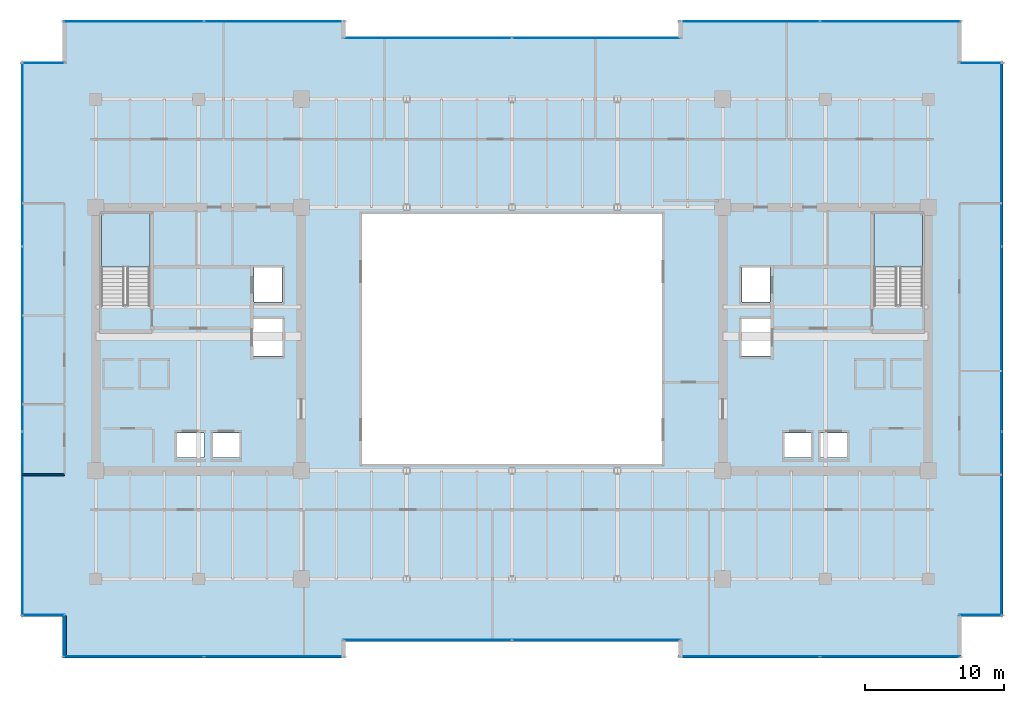
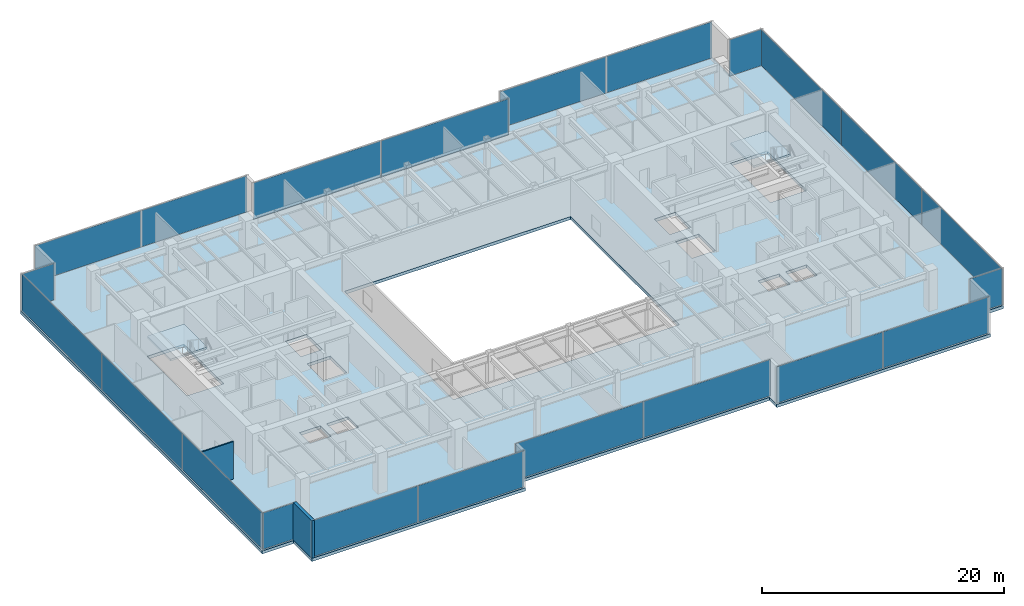
# One storey, part 24 of 31: 22 plates, 3 slabs, 2 walls, 14 elements without a shape of their own.
"""IFC4 building model written with IfcOpenShell, lengths in metres."""

import ifcopenshell
import ifcopenshell.guid

model = None  # the IFC model being written
_history = None  # IfcOwnerHistory: only IFC2X3 demands one
_inside = {}  # id of a spatial element -> (the spatial element, [elements in it])
_under = {}  # id of a project, library or spatial element -> (it, [spatial elements below it])
_declared = {}  # id of a project -> (the project, [libraries it declares])
_typed = {}  # id of a type object -> (the type object, [elements of that type])
_made_of = {}  # id of a material, layer set ... -> (it, [elements and type objects made of it])


def new_model(schema):
    """Start an empty IFC model of exactly this schema.

    Asked for "IFC4X3", IfcOpenShell would pick the latest addendum, in which some entities
    have other attributes; the version numbers below select the first issue.
    IFC2X3 requires an IfcOwnerHistory on every rooted entity: one is made here for all.
    """
    global model, _history
    if schema == "IFC4X3":
        model = ifcopenshell.file(schema_version=(4, 3, 0, 0))
    else:
        model = ifcopenshell.file(schema=schema)
    _inside.clear()
    _under.clear()
    _declared.clear()
    _typed.clear()
    _made_of.clear()
    _history = None
    if model.schema == "IFC2X3":
        org = make("IfcOrganization", Name="unknown")
        user = make(
            "IfcPersonAndOrganization",
            ThePerson=make("IfcPerson", FamilyName="unknown"),
            TheOrganization=org,
        )
        app = make(
            "IfcApplication",
            ApplicationDeveloper=org,
            Version="unknown",
            ApplicationFullName="unknown",
            ApplicationIdentifier="unknown",
        )
        _history = make(
            "IfcOwnerHistory",
            OwningUser=user,
            OwningApplication=app,
            ChangeAction="ADDED",
            CreationDate=0,
        )
    return model


def make(cls, **values):
    """One entity of the class cls with the attributes given. An attribute that is None is left unset."""
    return model.create_entity(
        cls, **{name: value for name, value in values.items() if value is not None}
    )


def rooted(cls, **values):
    """An entity with a GlobalId (a new one), such as an element, a storey or a relation."""
    return make(cls, GlobalId=ifcopenshell.guid.new(), OwnerHistory=_history, **values)


def si_unit(unit_type, name, prefix=None):
    """IfcSIUnit, for example si_unit("LENGTHUNIT", "METRE", prefix="MILLI")."""
    return make("IfcSIUnit", UnitType=unit_type, Prefix=prefix, Name=name)


def assignment(units):
    """IfcUnitAssignment: the units of a project."""
    return None if units is None else make("IfcUnitAssignment", Units=units)


def point(xyz):
    """IfcCartesianPoint."""
    return None if xyz is None else make("IfcCartesianPoint", Coordinates=xyz)


def direction(xyz):
    """IfcDirection."""
    return None if xyz is None else make("IfcDirection", DirectionRatios=xyz)


def frame(location, z_axis=None, x_axis=None):
    """IfcAxis2Placement3D, a coordinate frame: its origin and axes. An axis left out is left unset."""
    return make(
        "IfcAxis2Placement3D",
        Location=point(location),
        Axis=direction(z_axis),
        RefDirection=direction(x_axis),
    )


def frame_2d(location, x_axis=None):
    """IfcAxis2Placement2D, a coordinate frame in the plane: its origin and x axis."""
    return make(
        "IfcAxis2Placement2D", Location=point(location), RefDirection=direction(x_axis)
    )


def origin():
    """The frame at (0, 0, 0) with its axes left unset."""
    return frame((0.0, 0.0, 0.0))


def origin_2d():
    """The frame at (0, 0) in the plane with its x axis left unset."""
    return frame_2d((0.0, 0.0))


def place(relative_to, where):
    """IfcLocalPlacement: puts the frame where relative to a parent placement (None: the world)."""
    return make(
        "IfcLocalPlacement", PlacementRelTo=relative_to, RelativePlacement=where
    )


def context(
    kind, dimensions, precision=None, world=None, true_north=None, identifier=None
):
    """IfcGeometricRepresentationContext, for example the 3D "Model" context."""
    return make(
        "IfcGeometricRepresentationContext",
        ContextIdentifier=identifier,
        ContextType=kind,
        CoordinateSpaceDimension=dimensions,
        Precision=precision,
        WorldCoordinateSystem=world,
        TrueNorth=true_north,
    )


def subcontext(parent, identifier, kind, view, scale=None):
    """IfcGeometricRepresentationSubContext, for example "Body" below "Model"."""
    return make(
        "IfcGeometricRepresentationSubContext",
        ContextIdentifier=identifier,
        ContextType=kind,
        ParentContext=parent,
        TargetScale=scale,
        TargetView=view,
    )


def project(units=None, contexts=None):
    """IfcProject with its units and contexts."""
    return rooted(
        "IfcProject",
        Name="project",
        RepresentationContexts=contexts,
        UnitsInContext=assignment(units),
    )


def spatial(cls, under=None, at=None, **own):
    """A site, building, storey or space (cls), placed at a placement, below another one or the project."""
    s = rooted(cls, ObjectPlacement=at, **own)
    if under is not None:
        _under.setdefault(under.id(), (under, []))[1].append(s)
    return s


def polyline(points):
    """IfcPolyline through the points."""
    return make("IfcPolyline", Points=[point(p) for p in points])


def profile(cls, at=None, kind="AREA", **sizes):
    """A parametric profile (cls). Its sizes go by their IFC names, for example OverallWidth=200.0."""
    return make(cls, ProfileType=kind, Position=at, **sizes)


def rectangle(**sizes):
    """IfcRectangleProfileDef."""
    return profile("IfcRectangleProfileDef", **sizes)


def outline(outer, holes=None, kind="AREA"):
    """IfcArbitraryClosedProfileDef: a profile drawn as a closed curve; with holes, ...WithVoids."""
    if holes is None:
        return make("IfcArbitraryClosedProfileDef", ProfileType=kind, OuterCurve=outer)
    return make(
        "IfcArbitraryProfileDefWithVoids",
        ProfileType=kind,
        OuterCurve=outer,
        InnerCurves=holes,
    )


def extrude(swept, where, along, depth):
    """IfcExtrudedAreaSolid: the profile swept, set in the frame where, extruded along a direction by depth."""
    return make(
        "IfcExtrudedAreaSolid",
        SweptArea=swept,
        Position=where,
        ExtrudedDirection=direction(along),
        Depth=depth,
    )


def shape(context_of_items, identifier, shape_type, items):
    """IfcShapeRepresentation: the items that make up one representation, for example the "Body"."""
    return make(
        "IfcShapeRepresentation",
        ContextOfItems=context_of_items,
        RepresentationIdentifier=identifier,
        RepresentationType=shape_type,
        Items=items,
    )


def source(mapping_origin, context_of_items, identifier, shape_type, items):
    """IfcRepresentationMap: a shape defined once, which mapped items show again and again."""
    return make(
        "IfcRepresentationMap",
        MappingOrigin=mapping_origin,
        MappedRepresentation=shape(context_of_items, identifier, shape_type, items),
    )


def transform(
    local_origin,
    x_axis=None,
    y_axis=None,
    z_axis=None,
    scale=None,
    scale2=None,
    scale3=None,
    uniform=True,
):
    """IfcCartesianTransformationOperator3D, or its non-uniform kind. x_axis, y_axis, z_axis: its Axis1, 2, 3."""
    if uniform:
        return make(
            "IfcCartesianTransformationOperator3D",
            Axis1=direction(x_axis),
            Axis2=direction(y_axis),
            LocalOrigin=point(local_origin),
            Scale=scale,
            Axis3=direction(z_axis),
        )
    return make(
        "IfcCartesianTransformationOperator3DnonUniform",
        Axis1=direction(x_axis),
        Axis2=direction(y_axis),
        LocalOrigin=point(local_origin),
        Scale=scale,
        Axis3=direction(z_axis),
        Scale2=scale2,
        Scale3=scale3,
    )


def mapped(mapping_source, mapping_target):
    """IfcMappedItem: shows the shape of a source again, moved by a transform."""
    return make(
        "IfcMappedItem", MappingSource=mapping_source, MappingTarget=mapping_target
    )


def material(Name=None, Category=None):
    """IfcMaterial."""
    return make("IfcMaterial", Name=Name, Category=Category)


def layer(
    of_material, thickness, ventilated=None, Name=None, Category=None, Priority=None
):
    """IfcMaterialLayer: one layer of a wall or slab, of a material (None: an air gap)."""
    return make(
        "IfcMaterialLayer",
        Material=of_material,
        LayerThickness=thickness,
        IsVentilated=ventilated,
        Name=Name,
        Category=Category,
        Priority=Priority,
    )


def layer_set(layers, Name=None):
    """IfcMaterialLayerSet."""
    return make("IfcMaterialLayerSet", MaterialLayers=layers, LayerSetName=Name)


def made_of(thing, what):
    """Note that an element or type object is made of a material, layer set ...; save() writes the relation."""
    if what is not None:
        _made_of.setdefault(what.id(), (what, []))[1].append(thing)
    return thing


def type_object(cls, material=None, **own):
    """A type object (cls), such as IfcWallType, which elements share."""
    return made_of(rooted(cls, **own), material)


def type_shapes(of_type, sources):
    """Give a type object the sources (RepresentationMaps) that its elements show as mapped items."""
    of_type.RepresentationMaps = sources


def element(
    cls,
    number,
    at=None,
    inside=None,
    cuts=None,
    type_object=None,
    material=None,
    context=None,
    identifier="Body",
    shape_type=None,
    held_by="IfcProductDefinitionShape",
    body=None,
    shapes=None,
    **own,
):
    """One element of the class cls, such as IfcWall. Its Tag is "e" and its number.

    at: its placement. inside: the storey or other place that contains it. cuts: it is an
    opening in that element (IfcRelVoidsElement). A single representation is given by context,
    identifier, shape_type and body (its items); several are given by shapes. held_by: the class
    of the entity that holds the representations. save() writes the other relations.
    """
    e = rooted(cls, Tag="e%d" % number, ObjectPlacement=at, **own)
    if body is not None:
        shapes = [shape(context, identifier, shape_type, body)]
    if shapes is not None:
        e.Representation = make(held_by, Representations=shapes)
    if inside is not None:
        _inside.setdefault(inside.id(), (inside, []))[1].append(e)
    if cuts is not None:
        rooted(
            "IfcRelVoidsElement", RelatingBuildingElement=cuts, RelatedOpeningElement=e
        )
    if type_object is not None:
        _typed.setdefault(type_object.id(), (type_object, []))[1].append(e)
    return made_of(e, material)


def aggregate(whole, parts):
    """IfcRelAggregates: a whole, such as a stair, and the parts it consists of."""
    return rooted("IfcRelAggregates", RelatingObject=whole, RelatedObjects=parts)


def save(model, path):
    """Write the relations noted so far, then the file.

    IfcRelAggregates (storeys below a building ...), IfcRelContainedInSpatialStructure (elements
    in a storey), IfcRelDefinesByType, IfcRelAssociatesMaterial and IfcRelDeclares: one each for
    every whole, place, type object, material and project.
    """
    for whole, parts in _under.values():
        aggregate(whole, parts)
    for where, things in _inside.values():
        rooted(
            "IfcRelContainedInSpatialStructure",
            RelatedElements=things,
            RelatingStructure=where,
        )
    for kind, things in _typed.values():
        rooted("IfcRelDefinesByType", RelatedObjects=things, RelatingType=kind)
    for what, things in _made_of.values():
        rooted("IfcRelAssociatesMaterial", RelatedObjects=things, RelatingMaterial=what)
    for by, libraries in _declared.values():
        rooted("IfcRelDeclares", RelatingContext=by, RelatedDefinitions=libraries)
    model.write(path)


model = new_model("IFC4")

# Units and contexts
model_context = context("Model", 3, precision=1e-05, world=origin(), true_north=direction((0.0, 1.0)))
body_context = subcontext(model_context, "Body", "Model", "MODEL_VIEW")
ifc_project = project(units=[si_unit("LENGTHUNIT", "METRE"), si_unit("AREAUNIT", "SQUARE_METRE"), si_unit("VOLUMEUNIT", "CUBIC_METRE"), si_unit("PLANEANGLEUNIT", "RADIAN"), si_unit("MASSUNIT", "GRAM", prefix="KILO")], contexts=[model_context])

# Site, building, storey
site_placement = place(None, origin())
site = spatial("IfcSite", under=ifc_project, at=site_placement, CompositionType="ELEMENT")
building_placement = place(site_placement, origin())
building = spatial("IfcBuilding", under=site, at=building_placement, Name="Haelvirn Gate Laboratories", CompositionType="ELEMENT")
storey_placement = place(building_placement, frame((0.0, 0.0, 174.800048828125)))
storey = spatial("IfcBuildingStorey", under=building, at=storey_placement, Name="L42", CompositionType="ELEMENT", Elevation=174.800048828125)

# Stair, slab
ifc_material_1 = material(Name="Concrete C40/50", Category="concrete")
stair_type = type_object("IfcStairType", Name="ST-DOG-1650-R22", PredefinedType="HALF_TURN_STAIR", material=ifc_material_1)
stair_1_placement = place(storey_placement, origin())
stair_1 = element("IfcStair", 1, at=stair_1_placement, inside=storey, type_object=stair_type, Name="L42 Escape Stair ST1", PredefinedType="HALF_TURN_STAIR")
ifc_layer_1 = layer(ifc_material_1, 0.199951171875, Name="SL-STAIR-LND")
ifc_layer_set_1 = layer_set([ifc_layer_1], Name="Concrete C40/50")
slab_type_1 = type_object("IfcSlabType", Name="SL-STAIR-LND", PredefinedType="LANDING", material=ifc_layer_set_1)
slab_1_placement = place(storey_placement, frame((0.0, 0.0, 1.849853515625)))
slab_1 = element("IfcSlab", 2, at=slab_1_placement, type_object=slab_type_1, Name="ST1 landing 1", PredefinedType="LANDING", context=body_context, shape_type="SweptSolid", body=[
    extrude(outline(polyline([(11.300048828125, 29.5), (11.300048828125, 33.35009765625), (7.800048828125, 33.35009765625), (7.800048828125, 29.5), (11.300048828125, 29.5)])), origin(), (0.0, 0.0, 1.0), 0.2001953125),
])
aggregate(stair_1, [slab_1])

stair_2_placement = place(storey_placement, origin())
stair_2 = element("IfcStair", 3, at=stair_2_placement, inside=storey, type_object=stair_type, Name="L42 Escape Stair ST2", PredefinedType="HALF_TURN_STAIR")
slab_2_placement = place(storey_placement, frame((0.0, 0.0, 1.849853515625)))
slab_2 = element("IfcSlab", 4, at=slab_2_placement, type_object=slab_type_1, Name="ST2 landing 1", PredefinedType="LANDING", context=body_context, shape_type="SweptSolid", body=[
    extrude(outline(polyline([(67.0, 29.5), (67.0, 33.35009765625), (63.5, 33.35009765625), (63.5, 29.5), (67.0, 29.5)])), origin(), (0.0, 0.0, 1.0), 0.2001953125),
])
aggregate(stair_2, [slab_2])

# Slab
ifc_layer_2 = layer(ifc_material_1, 0.31005859375, Name="SL-Z2-310")
ifc_layer_set_2 = layer_set([ifc_layer_2], Name="Concrete C40/50")
slab_type_2 = type_object("IfcSlabType", Name="SL-Z2-310", PredefinedType="FLOOR", material=ifc_layer_set_2)
slab_3_placement = place(storey_placement, frame((0.0, 0.0, -0.31005859375)))
element("IfcSlab", 5, at=slab_3_placement, inside=storey, type_object=slab_type_2, Name="L42 Structural Slab MAIN", PredefinedType="FLOOR", context=body_context, shape_type="SweptSolid", body=[
    extrude(outline(polyline([(5.0, 1.300048828125), (25.39990234375, 1.300048828125), (25.39990234375, 2.5), (49.39990234375, 2.5), (49.39990234375, 1.300048828125), (69.800048828125, 1.300048828125), (69.800048828125, 4.300048828125), (72.800048828125, 4.300048828125), (72.800048828125, 44.300048828125), (69.800048828125, 44.300048828125), (69.800048828125, 47.300048828125), (49.39990234375, 47.300048828125), (49.39990234375, 46.10009765625), (25.39990234375, 46.10009765625), (25.39990234375, 47.300048828125), (5.0, 47.300048828125), (5.0, 44.300048828125), (2.0, 44.300048828125), (2.0, 4.300048828125), (5.0, 4.300048828125), (5.0, 1.300048828125)]), holes=[polyline([(26.60009765625, 15.300048828125), (48.199951171875, 15.300048828125), (48.199951171875, 33.300048828125), (26.60009765625, 33.300048828125), (26.60009765625, 15.300048828125)]), polyline([(11.300048828125, 26.780029296875), (11.300048828125, 33.35009765625), (7.800048828125, 33.35009765625), (7.800048828125, 26.780029296875), (11.300048828125, 26.780029296875)]), polyline([(67.0, 26.780029296875), (67.0, 33.35009765625), (63.5, 33.35009765625), (63.5, 26.780029296875), (67.0, 26.780029296875)]), polyline([(13.18994140625, 15.77001953125), (15.2099609375, 15.77001953125), (15.2099609375, 17.510009765625), (13.18994140625, 17.510009765625), (13.18994140625, 15.77001953125)]), polyline([(15.7900390625, 15.77001953125), (17.81005859375, 15.77001953125), (17.81005859375, 17.510009765625), (15.7900390625, 17.510009765625), (15.7900390625, 15.77001953125)]), polyline([(18.7900390625, 26.969970703125), (20.81005859375, 26.969970703125), (20.81005859375, 29.510009765625), (18.7900390625, 29.510009765625), (18.7900390625, 26.969970703125)]), polyline([(18.68994140625, 23.070068359375), (20.909912109375, 23.070068359375), (20.909912109375, 25.81005859375), (18.68994140625, 25.81005859375), (18.68994140625, 23.070068359375)]), polyline([(59.590087890625, 15.77001953125), (61.610107421875, 15.77001953125), (61.610107421875, 17.510009765625), (59.590087890625, 17.510009765625), (59.590087890625, 15.77001953125)]), polyline([(56.989990234375, 15.77001953125), (59.010009765625, 15.77001953125), (59.010009765625, 17.510009765625), (56.989990234375, 17.510009765625), (56.989990234375, 15.77001953125)]), polyline([(53.989990234375, 26.969970703125), (56.010009765625, 26.969970703125), (56.010009765625, 29.510009765625), (53.989990234375, 29.510009765625), (53.989990234375, 26.969970703125)]), polyline([(53.889892578125, 23.070068359375), (56.110107421875, 23.070068359375), (56.110107421875, 25.81005859375), (53.889892578125, 25.81005859375), (53.889892578125, 23.070068359375)])]), origin(), (0.0, 0.0, 1.0), 0.31005859375),
])

# Curtain wall, plates
ifc_material_2 = material(Name="Anodised bronze unitised aluminium & triple low-E glass", Category="aluminium")
ifc_layer_3 = layer(ifc_material_2, 0.179931640625, Name="CW-SYS-3")
ifc_layer_set_3 = layer_set([ifc_layer_3], Name="Anodised bronze unitised aluminium & triple low-E glass")
curtain_wall_type_1 = type_object("IfcCurtainWallType", Name="CW-SYS-3", PredefinedType="NOTDEFINED", material=ifc_layer_set_3)
curtain_wall_1_placement = place(storey_placement, origin())
curtain_wall_1 = element("IfcCurtainWall", 6, at=curtain_wall_1_placement, inside=storey, type_object=curtain_wall_type_1, Name="L42 Unitised Curtain Wall CW-L42-P0-E00-1", PredefinedType="NOTDEFINED")
ifc_material_3 = material(Name="High-selectivity bronze triple IGU 40 mm", Category="glass")
ifc_layer_4 = layer(ifc_material_3, 0.0400390625, Name="CWP-IGU-40")
ifc_layer_set_4 = layer_set([ifc_layer_4], Name="High-selectivity bronze triple IGU 40 mm")
plate_type_1 = type_object("IfcPlateType", Name="CWP-IGU-40", PredefinedType="CURTAIN_PANEL", material=ifc_layer_set_4)
shared_shape_1 = source(origin(), body_context, "Body", "SweptSolid", [
    extrude(rectangle(XDim=10.08740234375, YDim=0.0400390625, at=origin_2d()), origin(), (0.0, 0.0, 1.0), 3.659912109375),
])
plate_1_placement = place(storey_placement, frame((10.11865234375, 1.39990234375, 0.06494140625), z_axis=(0.0, 0.0, 1.0), x_axis=(1.0, 0.0, 0.0)))
plate_1 = element("IfcPlate", 7, at=plate_1_placement, type_object=plate_type_1, Name="CW3 panel 1.1", PredefinedType="CURTAIN_PANEL", context=body_context, shape_type="MappedRepresentation", body=[
    mapped(shared_shape_1, transform((0.0, 0.0, 0.0), scale=1.0)),
])
plate_2_placement = place(storey_placement, frame((20.28125, 1.39990234375, 0.06494140625), z_axis=(0.0, 0.0, 1.0), x_axis=(1.0, 0.0, 0.0)))
plate_2 = element("IfcPlate", 8, at=plate_2_placement, type_object=plate_type_1, Name="CW3 panel 2.1", PredefinedType="CURTAIN_PANEL", context=body_context, shape_type="MappedRepresentation", body=[
    mapped(shared_shape_1, transform((0.0, 0.0, 0.0), scale=1.0)),
])
aggregate(curtain_wall_1, [plate_1, plate_2])

curtain_wall_2_placement = place(storey_placement, origin())
curtain_wall_2 = element("IfcCurtainWall", 9, at=curtain_wall_2_placement, inside=storey, type_object=curtain_wall_type_1, Name="L42 Unitised Curtain Wall CW-L42-P0-E04-1", PredefinedType="NOTDEFINED")
plate_3_placement = place(storey_placement, frame((54.518798828125, 1.39990234375, 0.06494140625), z_axis=(0.0, 0.0, 1.0), x_axis=(1.0, 0.0, 0.0)))
plate_3 = element("IfcPlate", 10, at=plate_3_placement, type_object=plate_type_1, Name="CW3 panel 1.1", PredefinedType="CURTAIN_PANEL", context=body_context, shape_type="MappedRepresentation", body=[
    mapped(shared_shape_1, transform((0.0, 0.0, 0.0), scale=1.0)),
])
plate_4_placement = place(storey_placement, frame((64.68115234375, 1.39990234375, 0.06494140625), z_axis=(0.0, 0.0, 1.0), x_axis=(1.0, 0.0, 0.0)))
plate_4 = element("IfcPlate", 11, at=plate_4_placement, type_object=plate_type_1, Name="CW3 panel 2.1", PredefinedType="CURTAIN_PANEL", context=body_context, shape_type="MappedRepresentation", body=[
    mapped(shared_shape_1, transform((0.0, 0.0, 0.0), scale=1.0)),
])
aggregate(curtain_wall_2, [plate_3, plate_4])

curtain_wall_3_placement = place(storey_placement, origin())
curtain_wall_3 = element("IfcCurtainWall", 12, at=curtain_wall_3_placement, inside=storey, type_object=curtain_wall_type_1, Name="L42 Unitised Curtain Wall CW-L42-P0-E10-1", PredefinedType="NOTDEFINED")
plate_5_placement = place(storey_placement, frame((54.518798828125, 47.199951171875, 0.06494140625), z_axis=(0.0, 0.0, 1.0), x_axis=(1.0, 0.0, 0.0)))
plate_5 = element("IfcPlate", 13, at=plate_5_placement, type_object=plate_type_1, Name="CW3 panel 1.1", PredefinedType="CURTAIN_PANEL", context=body_context, shape_type="MappedRepresentation", body=[
    mapped(shared_shape_1, transform((0.0, 0.0, 0.0), scale=1.0)),
])
plate_6_placement = place(storey_placement, frame((64.68115234375, 47.199951171875, 0.06494140625), z_axis=(0.0, 0.0, 1.0), x_axis=(1.0, 0.0, 0.0)))
plate_6 = element("IfcPlate", 14, at=plate_6_placement, type_object=plate_type_1, Name="CW3 panel 2.1", PredefinedType="CURTAIN_PANEL", context=body_context, shape_type="MappedRepresentation", body=[
    mapped(shared_shape_1, transform((0.0, 0.0, 0.0), scale=1.0)),
])
aggregate(curtain_wall_3, [plate_5, plate_6])

curtain_wall_4_placement = place(storey_placement, origin())
curtain_wall_4 = element("IfcCurtainWall", 15, at=curtain_wall_4_placement, inside=storey, type_object=curtain_wall_type_1, Name="L42 Unitised Curtain Wall CW-L42-P0-E14-1", PredefinedType="NOTDEFINED")
plate_7_placement = place(storey_placement, frame((10.11865234375, 47.199951171875, 0.06494140625), z_axis=(0.0, 0.0, 1.0), x_axis=(1.0, 0.0, 0.0)))
plate_7 = element("IfcPlate", 16, at=plate_7_placement, type_object=plate_type_1, Name="CW3 panel 1.1", PredefinedType="CURTAIN_PANEL", context=body_context, shape_type="MappedRepresentation", body=[
    mapped(shared_shape_1, transform((0.0, 0.0, 0.0), scale=1.0)),
])
plate_8_placement = place(storey_placement, frame((20.28125, 47.199951171875, 0.06494140625), z_axis=(0.0, 0.0, 1.0), x_axis=(1.0, 0.0, 0.0)))
plate_8 = element("IfcPlate", 17, at=plate_8_placement, type_object=plate_type_1, Name="CW3 panel 2.1", PredefinedType="CURTAIN_PANEL", context=body_context, shape_type="MappedRepresentation", body=[
    mapped(shared_shape_1, transform((0.0, 0.0, 0.0), scale=1.0)),
])
aggregate(curtain_wall_4, [plate_7, plate_8])

curtain_wall_5_placement = place(storey_placement, origin())
curtain_wall_5 = element("IfcCurtainWall", 18, at=curtain_wall_5_placement, inside=storey, type_object=curtain_wall_type_1, Name="L42 Unitised Curtain Wall CW-L42-P0-E02-1", PredefinedType="NOTDEFINED")
shared_shape_2 = source(origin(), body_context, "Body", "SweptSolid", [
    extrude(rectangle(XDim=12.12744140625, YDim=0.0400390625, at=origin_2d()), origin(), (0.0, 0.0, 1.0), 3.659912109375),
])
plate_9_placement = place(storey_placement, frame((31.298828125, 2.60009765625, 0.06494140625), z_axis=(0.0, 0.0, 1.0), x_axis=(1.0, 0.0, 0.0)))
plate_9 = element("IfcPlate", 19, at=plate_9_placement, type_object=plate_type_1, Name="CW3 panel 1.1", PredefinedType="CURTAIN_PANEL", context=body_context, shape_type="MappedRepresentation", body=[
    mapped(shared_shape_2, transform((0.0, 0.0, 0.0), scale=1.0)),
])
plate_10_placement = place(storey_placement, frame((43.501220703125, 2.60009765625, 0.06494140625), z_axis=(0.0, 0.0, 1.0), x_axis=(1.0, 0.0, 0.0)))
plate_10 = element("IfcPlate", 20, at=plate_10_placement, type_object=plate_type_1, Name="CW3 panel 2.1", PredefinedType="CURTAIN_PANEL", context=body_context, shape_type="MappedRepresentation", body=[
    mapped(shared_shape_2, transform((0.0, 0.0, 0.0), scale=1.0)),
])
aggregate(curtain_wall_5, [plate_9, plate_10])

curtain_wall_6_placement = place(storey_placement, origin())
curtain_wall_6 = element("IfcCurtainWall", 21, at=curtain_wall_6_placement, inside=storey, type_object=curtain_wall_type_1, Name="L42 Unitised Curtain Wall CW-L42-P0-E12-1", PredefinedType="NOTDEFINED")
plate_11_placement = place(storey_placement, frame((31.298828125, 46.0, 0.06494140625), z_axis=(0.0, 0.0, 1.0), x_axis=(1.0, 0.0, 0.0)))
plate_11 = element("IfcPlate", 22, at=plate_11_placement, type_object=plate_type_1, Name="CW3 panel 1.1", PredefinedType="CURTAIN_PANEL", context=body_context, shape_type="MappedRepresentation", body=[
    mapped(shared_shape_2, transform((0.0, 0.0, 0.0), scale=1.0)),
])
plate_12_placement = place(storey_placement, frame((43.501220703125, 46.0, 0.06494140625), z_axis=(0.0, 0.0, 1.0), x_axis=(1.0, 0.0, 0.0)))
plate_12 = element("IfcPlate", 23, at=plate_12_placement, type_object=plate_type_1, Name="CW3 panel 2.1", PredefinedType="CURTAIN_PANEL", context=body_context, shape_type="MappedRepresentation", body=[
    mapped(shared_shape_2, transform((0.0, 0.0, 0.0), scale=1.0)),
])
aggregate(curtain_wall_6, [plate_11, plate_12])

# Curtain wall, plate
ifc_layer_5 = layer(ifc_material_2, 0.181884765625, Name="CW-SYS-5")
ifc_layer_set_5 = layer_set([ifc_layer_5], Name="Anodised bronze unitised aluminium & triple low-E glass")
curtain_wall_type_2 = type_object("IfcCurtainWallType", Name="CW-SYS-5", PredefinedType="NOTDEFINED", material=ifc_layer_set_5)
curtain_wall_7_placement = place(storey_placement, origin())
curtain_wall_7 = element("IfcCurtainWall", 24, at=curtain_wall_7_placement, inside=storey, type_object=curtain_wall_type_2, Name="L42 Unitised Curtain Wall CW-L42-P0-E06-1", PredefinedType="NOTDEFINED")
ifc_material_4 = material(Name="Clear low-iron notched-corner triple IGU 42 mm", Category="glass")
ifc_layer_6 = layer(ifc_material_4, 0.0419921875, Name="CWP-NTC-42")
ifc_layer_set_6 = layer_set([ifc_layer_6], Name="Clear low-iron notched-corner triple IGU 42 mm")
plate_type_2 = type_object("IfcPlateType", Name="CWP-NTC-42", PredefinedType="CURTAIN_PANEL", material=ifc_layer_set_6)
shared_shape_3 = source(origin(), body_context, "Body", "SweptSolid", [
    extrude(rectangle(XDim=3.080078125, YDim=0.0419921875, at=origin_2d()), origin(), (0.0, 0.0, 1.0), 3.659912109375),
])
type_shapes(plate_type_2, [shared_shape_3])
plate_13_placement = place(storey_placement, frame((71.179931640625, 4.39990234375, 0.06494140625), z_axis=(0.0, 0.0, 1.0), x_axis=(1.0, 0.0, 0.0)))
plate_13 = element("IfcPlate", 25, at=plate_13_placement, type_object=plate_type_2, Name="CW5 panel 1.1", PredefinedType="CURTAIN_PANEL", context=body_context, shape_type="MappedRepresentation", body=[
    mapped(shared_shape_3, transform((0.0, 0.0, 0.0), scale=1.0)),
])
aggregate(curtain_wall_7, [plate_13])

curtain_wall_8_placement = place(storey_placement, origin())
curtain_wall_8 = element("IfcCurtainWall", 26, at=curtain_wall_8_placement, inside=storey, type_object=curtain_wall_type_2, Name="L42 Unitised Curtain Wall CW-L42-P0-E08-1", PredefinedType="NOTDEFINED")
plate_14_placement = place(storey_placement, frame((71.179931640625, 44.199951171875, 0.06494140625), z_axis=(0.0, 0.0, 1.0), x_axis=(1.0, 0.0, 0.0)))
plate_14 = element("IfcPlate", 27, at=plate_14_placement, type_object=plate_type_2, Name="CW5 panel 1.1", PredefinedType="CURTAIN_PANEL", context=body_context, shape_type="MappedRepresentation", body=[
    mapped(shared_shape_3, transform((0.0, 0.0, 0.0), scale=1.0)),
])
aggregate(curtain_wall_8, [plate_14])

curtain_wall_9_placement = place(storey_placement, origin())
curtain_wall_9 = element("IfcCurtainWall", 28, at=curtain_wall_9_placement, inside=storey, type_object=curtain_wall_type_2, Name="L42 Unitised Curtain Wall CW-L42-P0-E16-1", PredefinedType="NOTDEFINED")
plate_15_placement = place(storey_placement, frame((3.6201171875, 44.199951171875, 0.06494140625), z_axis=(0.0, 0.0, 1.0), x_axis=(1.0, 0.0, 0.0)))
plate_15 = element("IfcPlate", 29, at=plate_15_placement, type_object=plate_type_2, Name="CW5 panel 1.1", PredefinedType="CURTAIN_PANEL", context=body_context, shape_type="MappedRepresentation", body=[
    mapped(shared_shape_3, transform((0.0, 0.0, 0.0), scale=1.0)),
])
aggregate(curtain_wall_9, [plate_15])

curtain_wall_10_placement = place(storey_placement, origin())
curtain_wall_10 = element("IfcCurtainWall", 30, at=curtain_wall_10_placement, inside=storey, type_object=curtain_wall_type_2, Name="L42 Unitised Curtain Wall CW-L42-P0-E18-1", PredefinedType="NOTDEFINED")
plate_16_placement = place(storey_placement, frame((3.6201171875, 4.39990234375, 0.06494140625), z_axis=(0.0, 0.0, 1.0), x_axis=(1.0, 0.0, 0.0)))
plate_16 = element("IfcPlate", 31, at=plate_16_placement, type_object=plate_type_2, Name="CW5 panel 1.1", PredefinedType="CURTAIN_PANEL", context=body_context, shape_type="MappedRepresentation", body=[
    mapped(shared_shape_3, transform((0.0, 0.0, 0.0), scale=1.0)),
])
aggregate(curtain_wall_10, [plate_16])

# Curtain wall, plates
curtain_wall_11_placement = place(storey_placement, origin())
curtain_wall_11 = element("IfcCurtainWall", 32, at=curtain_wall_11_placement, inside=storey, type_object=curtain_wall_type_1, Name="L42 Unitised Curtain Wall CW-L42-P0-E07", PredefinedType="NOTDEFINED")
shared_shape_4 = source(origin(), body_context, "Body", "SweptSolid", [
    extrude(rectangle(XDim=13.220947265625, YDim=0.0400390625, at=origin_2d()), origin(), (0.0, 0.0, 1.0), 3.659912109375),
])
plate_17_placement = place(storey_placement, frame((72.699951171875, 10.9853515625, 0.06494140625), z_axis=(0.0, 0.0, 1.0), x_axis=(0.0, 1.0, 0.0)))
plate_17 = element("IfcPlate", 33, at=plate_17_placement, type_object=plate_type_1, Name="CW3 panel 1.1", PredefinedType="CURTAIN_PANEL", context=body_context, shape_type="MappedRepresentation", body=[
    mapped(shared_shape_4, transform((0.0, 0.0, 0.0), scale=1.0)),
])
plate_18_placement = place(storey_placement, frame((72.699951171875, 37.614501953125, 0.06494140625), z_axis=(0.0, 0.0, 1.0), x_axis=(0.0, 1.0, 0.0)))
plate_18 = element("IfcPlate", 34, at=plate_18_placement, type_object=plate_type_1, Name="CW3 panel 3.1", PredefinedType="CURTAIN_PANEL", context=body_context, shape_type="MappedRepresentation", body=[
    mapped(shared_shape_4, transform((0.0, 0.0, 0.0), scale=1.0)),
])

curtain_wall_12_placement = place(storey_placement, origin())
curtain_wall_12 = element("IfcCurtainWall", 35, at=curtain_wall_12_placement, inside=storey, type_object=curtain_wall_type_1, Name="L42 Unitised Curtain Wall CW-L42-P0-E17", PredefinedType="NOTDEFINED")
plate_19_placement = place(storey_placement, frame((2.10009765625, 37.614501953125, 0.06494140625), z_axis=(0.0, 0.0, 1.0), x_axis=(0.0, -1.0, 0.0)))
plate_19 = element("IfcPlate", 36, at=plate_19_placement, type_object=plate_type_1, Name="CW3 panel 1.1", PredefinedType="CURTAIN_PANEL", context=body_context, shape_type="MappedRepresentation", body=[
    mapped(shared_shape_4, transform((0.0, 0.0, 0.0), scale=1.0)),
])
plate_20_placement = place(storey_placement, frame((2.10009765625, 10.9853515625, 0.06494140625), z_axis=(0.0, 0.0, 1.0), x_axis=(0.0, -1.0, 0.0)))
plate_20 = element("IfcPlate", 37, at=plate_20_placement, type_object=plate_type_1, Name="CW3 panel 3.1", PredefinedType="CURTAIN_PANEL", context=body_context, shape_type="MappedRepresentation", body=[
    mapped(shared_shape_4, transform((0.0, 0.0, 0.0), scale=1.0)),
])

# Plate
shared_shape_5 = source(origin(), body_context, "Body", "SweptSolid", [
    extrude(rectangle(XDim=13.25830078125, YDim=0.0400390625, at=origin_2d()), origin(), (0.0, 0.0, 1.0), 3.659912109375),
])
type_shapes(plate_type_1, [shared_shape_1, shared_shape_2, shared_shape_4, shared_shape_5])
plate_21_placement = place(storey_placement, frame((72.699951171875, 24.300048828125, 0.06494140625), z_axis=(0.0, 0.0, 1.0), x_axis=(0.0, 1.0, 0.0)))
plate_21 = element("IfcPlate", 38, at=plate_21_placement, type_object=plate_type_1, Name="CW3 panel 2.1", PredefinedType="CURTAIN_PANEL", context=body_context, shape_type="MappedRepresentation", body=[
    mapped(shared_shape_5, transform((0.0, 0.0, 0.0), scale=1.0)),
])

aggregate(curtain_wall_11, [plate_17, plate_21, plate_18])

plate_22_placement = place(storey_placement, frame((2.10009765625, 24.300048828125, 0.06494140625), z_axis=(0.0, 0.0, 1.0), x_axis=(0.0, -1.0, 0.0)))
plate_22 = element("IfcPlate", 39, at=plate_22_placement, type_object=plate_type_1, Name="CW3 panel 2.1", PredefinedType="CURTAIN_PANEL", context=body_context, shape_type="MappedRepresentation", body=[
    mapped(shared_shape_5, transform((0.0, 0.0, 0.0), scale=1.0)),
])

aggregate(curtain_wall_12, [plate_19, plate_22, plate_20])

# Walls
ifc_material_5 = material(Name="Thermally-broken bronze aluminium rainscreen & mineral wool", Category="aluminium")
ifc_layer_7 = layer(ifc_material_5, 0.280029296875, Name="EW-TERR-280")
ifc_layer_set_7 = layer_set([ifc_layer_7], Name="Thermally-broken bronze aluminium rainscreen & mineral wool")
wall_type_1 = type_object("IfcWallType", Name="EW-TERR-280", PredefinedType="STANDARD", material=ifc_layer_set_7)
wall_1_placement = place(storey_placement, frame((5.139892578125, 4.387939453125, 0.0), z_axis=(0.0, 0.0, 1.0), x_axis=(0.0, -1.0, 0.0)))
element("IfcWall", 40, at=wall_1_placement, inside=storey, type_object=wall_type_1, Name="L42 Atrium Recess Bronze Return Wall 19", PredefinedType="STANDARD", context=body_context, shape_type="SweptSolid", body=[
    extrude(rectangle(XDim=3.087890625, YDim=0.280029296875, at=frame_2d((1.5439453125, 0.0))), origin(), (0.0, 0.0, 1.0), 3.7900390625),
])
ifc_material_6 = material(Name="Lightweight acoustic gypsum board partition", Category="gypsum")
ifc_layer_8 = layer(ifc_material_6, 0.1201171875, Name="IW-PART-120")
ifc_layer_set_8 = layer_set([ifc_layer_8], Name="Lightweight acoustic gypsum board partition")
wall_type_2 = type_object("IfcWallType", Name="IW-PART-120", PredefinedType="PARTITIONING", material=ifc_layer_set_8)
wall_2_placement = place(storey_placement, frame((2.110107421875, 14.514892578125, 0.0), z_axis=(0.0, 0.0, 1.0), x_axis=(1.0, 0.0, 0.0)))
element("IfcWall", 41, at=wall_2_placement, inside=storey, type_object=wall_type_2, Name="L42 Interior Wall IW-L42-WCAP-S", PredefinedType="PARTITIONING", context=body_context, shape_type="SweptSolid", body=[
    extrude(rectangle(XDim=3.019775390625, YDim=0.1201171875, at=frame_2d((1.509765625, 0.0))), origin(), (0.0, 0.0, 1.0), 3.7900390625),
])

save(model, "model.ifc")
